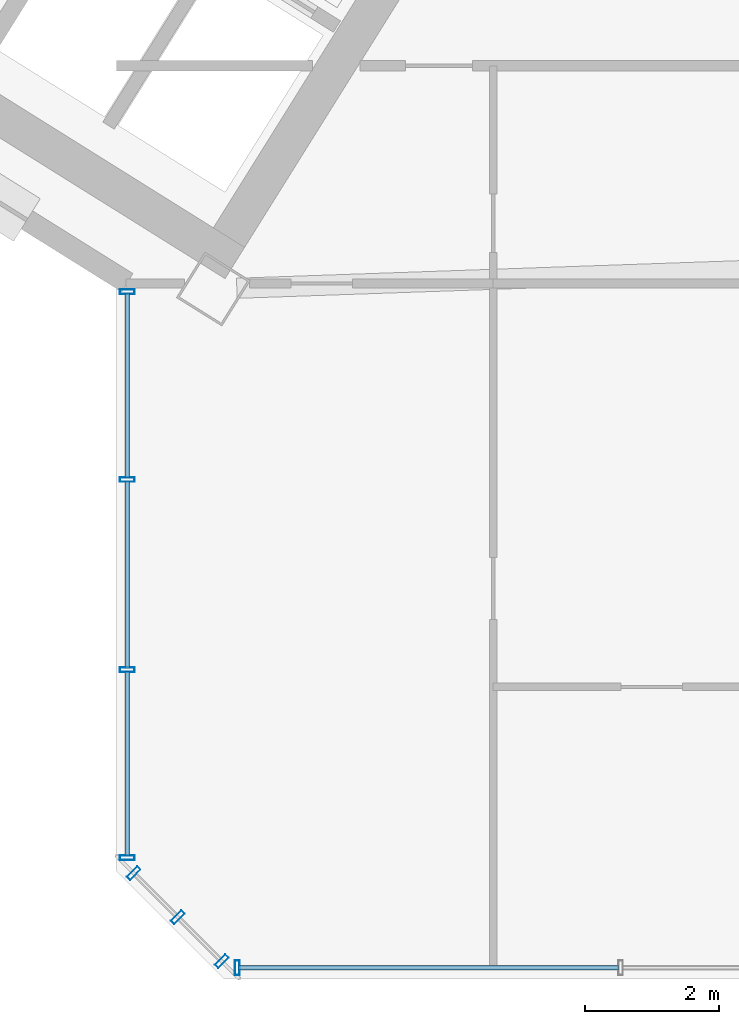
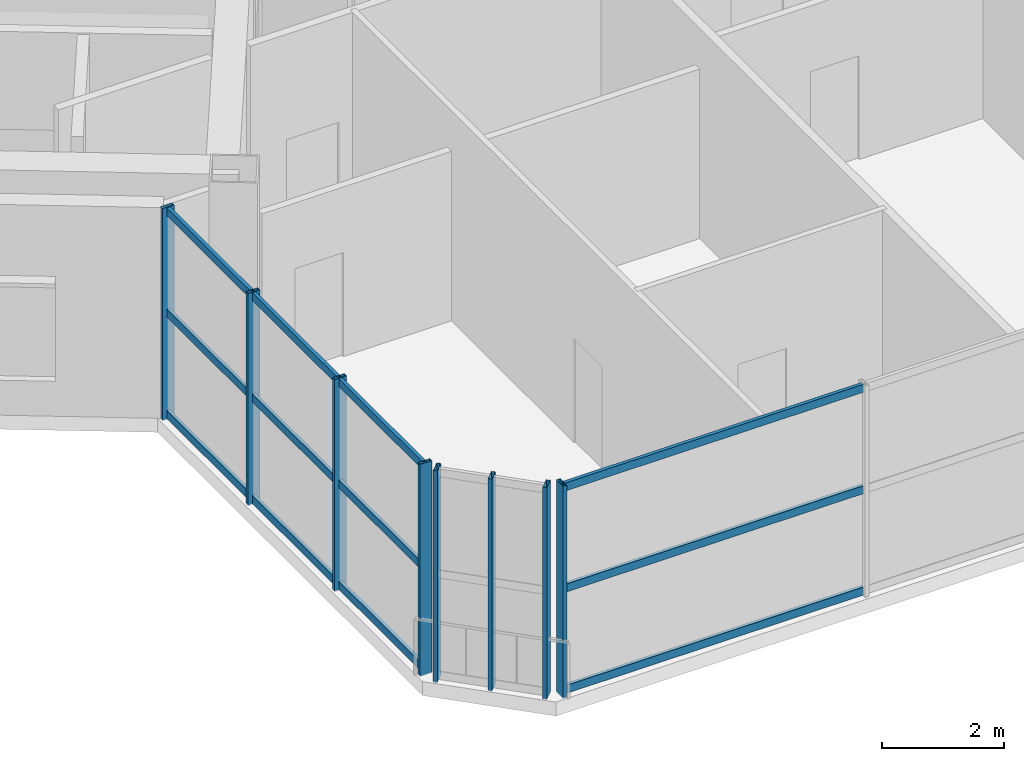
# One storey, part 4 of 20: 20 members, 3 elements without a shape of their own.
"""IFC4 building model written with IfcOpenShell, lengths in metres."""

from ifc_helpers import new_model, si_unit, direction, frame, origin, origin_2d, place, context, subcontext, project, spatial, hollow_rectangle, extrude, source, transform, mapped, material, material_profile, profile_set, type_object, element, aggregate, save


model = new_model("IFC4")

# Units and contexts
model_context = context("Model", 3, precision=1e-05, world=origin(), true_north=direction((0.0, 1.0)))
body_context = subcontext(model_context, "Body", "Model", "MODEL_VIEW")
ifc_project = project(units=[si_unit("LENGTHUNIT", "METRE"), si_unit("AREAUNIT", "SQUARE_METRE"), si_unit("VOLUMEUNIT", "CUBIC_METRE"), si_unit("PLANEANGLEUNIT", "RADIAN"), si_unit("MASSUNIT", "GRAM", prefix="KILO")], contexts=[model_context])

# Site, building, storey
site_placement = place(None, origin())
site = spatial("IfcSite", under=ifc_project, at=site_placement, CompositionType="ELEMENT")
building_placement = place(site_placement, origin())
building = spatial("IfcBuilding", under=site, at=building_placement, Name="Tlacorven Tower", CompositionType="ELEMENT")
storey_placement = place(building_placement, frame((0.0, 0.0, 195.0)))
storey = spatial("IfcBuildingStorey", under=building, at=storey_placement, Name="L49", CompositionType="ELEMENT", Elevation=195.0)

# Curtain wall, member
ifc_material_1 = material(Name="Dark solar low-E double glazing in aluminium frame", Category="aluminium")
curtain_wall_type = type_object("IfcCurtainWallType", Name="CW-COM-AMENITY", PredefinedType="USERDEFINED", material=ifc_material_1)
curtain_wall_1_placement = place(storey_placement, origin())
curtain_wall_1 = element("IfcCurtainWall", 1, at=curtain_wall_1_placement, inside=storey, type_object=curtain_wall_type, Name="L49 CW-COM-AMENITY Curtain Wall 225", ObjectType="UNITISED CURTAIN WALL", PredefinedType="USERDEFINED")
ifc_material_2 = material(Name="Aluminium 6063-T6 anodised", Category="aluminium")
ifc_material_profile_1 = material_profile(ifc_material_2, hollow_rectangle(XDim=0.070068359375, YDim=0.219970703125, WallThickness=0.0048828125, at=origin_2d()), Name="ALU MULLION 70X220")
ifc_profile_set_1 = profile_set([ifc_material_profile_1], Name="Aluminium 6063-T6 anodised")
member_type_1 = type_object("IfcMemberType", Name="CWM-01", PredefinedType="MULLION", material=ifc_profile_set_1)
shared_shape_1 = source(origin(), body_context, "Body", "SweptSolid", [
    extrude(hollow_rectangle(XDim=0.070068359375, YDim=0.219970703125, WallThickness=0.0048828125, at=origin_2d()), origin(), (0.0, 0.0, 1.0), 4.25),
])
member_1_placement = place(storey_placement, frame((33.4013671875, 1.9599609375, -0.02001953125), z_axis=(0.0, 0.0, 1.0), x_axis=(-1.0, 0.0, 0.0)))
member_1 = element("IfcMember", 2, at=member_1_placement, type_object=member_type_1, Name="CW-L49-225 Mullion 4", PredefinedType="MULLION", context=body_context, shape_type="MappedRepresentation", body=[
    mapped(shared_shape_1, transform((0.0, 0.0, 0.0), scale=1.0)),
])

# Curtain wall, members
curtain_wall_2_placement = place(storey_placement, origin())
curtain_wall_2 = element("IfcCurtainWall", 3, at=curtain_wall_2_placement, inside=storey, type_object=curtain_wall_type, Name="L49 CW-COM-AMENITY Curtain Wall 226", ObjectType="UNITISED CURTAIN WALL", PredefinedType="USERDEFINED")
member_2_placement = place(storey_placement, frame((33.1708984375, 2.055419921875, -0.02001953125), z_axis=(0.0, 0.0, 1.0), x_axis=(-0.707106781187, 0.707106781187, 0.0)))
member_2 = element("IfcMember", 4, at=member_2_placement, type_object=member_type_1, Name="CW-L49-226 Mullion 1", PredefinedType="MULLION", context=body_context, shape_type="MappedRepresentation", body=[
    mapped(shared_shape_1, transform((0.0, 0.0, 0.0), scale=1.0)),
])
member_3_placement = place(storey_placement, frame((32.51318359375, 2.713134765625, -0.02001953125), z_axis=(0.0, 0.0, 1.0), x_axis=(-0.707106781187, 0.707106781187, 0.0)))
member_3 = element("IfcMember", 5, at=member_3_placement, type_object=member_type_1, Name="CW-L49-226 Mullion 2", PredefinedType="MULLION", context=body_context, shape_type="MappedRepresentation", body=[
    mapped(shared_shape_1, transform((0.0, 0.0, 0.0), scale=1.0)),
])
member_4_placement = place(storey_placement, frame((31.85546875, 3.370849609375, -0.02001953125), z_axis=(0.0, 0.0, 1.0), x_axis=(-0.707106781187, 0.707106781187, 0.0)))
member_4 = element("IfcMember", 6, at=member_4_placement, type_object=member_type_1, Name="CW-L49-226 Mullion 3", PredefinedType="MULLION", context=body_context, shape_type="MappedRepresentation", body=[
    mapped(shared_shape_1, transform((0.0, 0.0, 0.0), scale=1.0)),
])
aggregate(curtain_wall_2, [member_2, member_3, member_4])

curtain_wall_3_placement = place(storey_placement, origin())
curtain_wall_3 = element("IfcCurtainWall", 7, at=curtain_wall_3_placement, inside=storey, type_object=curtain_wall_type, Name="L49 CW-COM-AMENITY Curtain Wall 227", ObjectType="UNITISED CURTAIN WALL", PredefinedType="USERDEFINED")
member_5_placement = place(storey_placement, frame((31.760009765625, 3.601318359375, -0.02001953125), z_axis=(0.0, 0.0, 1.0), x_axis=(0.0, 1.0, 0.0)))
member_5 = element("IfcMember", 8, at=member_5_placement, type_object=member_type_1, Name="CW-L49-227 Mullion 1", PredefinedType="MULLION", context=body_context, shape_type="MappedRepresentation", body=[
    mapped(shared_shape_1, transform((0.0, 0.0, 0.0), scale=1.0)),
])
member_6_placement = place(storey_placement, frame((31.760009765625, 6.4052734375, -0.02001953125), z_axis=(0.0, 0.0, 1.0), x_axis=(0.0, 1.0, 0.0)))
member_6 = element("IfcMember", 9, at=member_6_placement, type_object=member_type_1, Name="CW-L49-227 Mullion 2", PredefinedType="MULLION", context=body_context, shape_type="MappedRepresentation", body=[
    mapped(shared_shape_1, transform((0.0, 0.0, 0.0), scale=1.0)),
])
member_7_placement = place(storey_placement, frame((31.760009765625, 9.244140625, -0.02001953125), z_axis=(0.0, 0.0, 1.0), x_axis=(0.0, 1.0, 0.0)))
member_7 = element("IfcMember", 10, at=member_7_placement, type_object=member_type_1, Name="CW-L49-227 Mullion 3", PredefinedType="MULLION", context=body_context, shape_type="MappedRepresentation", body=[
    mapped(shared_shape_1, transform((0.0, 0.0, 0.0), scale=1.0)),
])
member_8_placement = place(storey_placement, frame((31.760009765625, 12.048095703125, -0.02001953125), z_axis=(0.0, 0.0, 1.0), x_axis=(0.0, 1.0, 0.0)))
member_8 = element("IfcMember", 11, at=member_8_placement, type_object=member_type_1, Name="CW-L49-227 Mullion 4", PredefinedType="MULLION", context=body_context, shape_type="MappedRepresentation", body=[
    mapped(shared_shape_1, transform((0.0, 0.0, 0.0), scale=1.0)),
])

# Member
ifc_material_profile_2 = material_profile(ifc_material_2, hollow_rectangle(XDim=0.06494140625, YDim=0.159912109375, WallThickness=0.00390625, at=origin_2d()), Name="ALU TRANSOM 65X160")
ifc_profile_set_2 = profile_set([ifc_material_profile_2], Name="Aluminium 6063-T6 anodised")
member_type_2 = type_object("IfcMemberType", Name="CWT-01", PredefinedType="USERDEFINED", material=ifc_profile_set_2)
shared_shape_2 = source(origin(), body_context, "Body", "SweptSolid", [
    extrude(hollow_rectangle(XDim=0.06494140625, YDim=0.159912109375, WallThickness=0.00390625, at=origin_2d()), origin(), (0.0, 0.0, 1.0), 5.6748046875),
])
member_9_placement = place(storey_placement, frame((39.09912109375, 1.9599609375, 0.080078125), z_axis=(-1.0, 0.0, 0.0), x_axis=(0.0, -1.0, 0.0)))
member_9 = element("IfcMember", 12, at=member_9_placement, type_object=member_type_2, Name="CW-L49-225 Transom 7", ObjectType="TRANSOM", PredefinedType="USERDEFINED", context=body_context, shape_type="MappedRepresentation", body=[
    mapped(shared_shape_2, transform((0.0, 0.0, 0.0), scale=1.0)),
])

member_10_placement = place(storey_placement, frame((39.09912109375, 1.9599609375, 2.110107421875), z_axis=(-1.0, 0.0, 0.0), x_axis=(0.0, -1.0, 0.0)))
member_10 = element("IfcMember", 13, at=member_10_placement, type_object=member_type_2, Name="CW-L49-225 Transom 8", ObjectType="TRANSOM", PredefinedType="USERDEFINED", context=body_context, shape_type="MappedRepresentation", body=[
    mapped(shared_shape_2, transform((0.0, 0.0, 0.0), scale=1.0)),
])

member_11_placement = place(storey_placement, frame((39.09912109375, 1.9599609375, 4.139892578125), z_axis=(-1.0, 0.0, 0.0), x_axis=(0.0, -1.0, 0.0)))
member_11 = element("IfcMember", 14, at=member_11_placement, type_object=member_type_2, Name="CW-L49-225 Transom 9", ObjectType="TRANSOM", PredefinedType="USERDEFINED", context=body_context, shape_type="MappedRepresentation", body=[
    mapped(shared_shape_2, transform((0.0, 0.0, 0.0), scale=1.0)),
])

aggregate(curtain_wall_1, [member_1, member_9, member_10, member_11])

shared_shape_3 = source(origin(), body_context, "Body", "SweptSolid", [
    extrude(hollow_rectangle(XDim=0.06494140625, YDim=0.159912109375, WallThickness=0.00390625, at=origin_2d()), origin(), (0.0, 0.0, 1.0), 2.7578125),
])
member_12_placement = place(storey_placement, frame((31.760009765625, 3.624267578125, 0.080078125), z_axis=(0.0, 1.0, 0.0), x_axis=(-1.0, 0.0, 0.0)))
member_12 = element("IfcMember", 15, at=member_12_placement, type_object=member_type_2, Name="CW-L49-227 Transom 1", ObjectType="TRANSOM", PredefinedType="USERDEFINED", context=body_context, shape_type="MappedRepresentation", body=[
    mapped(shared_shape_3, transform((0.0, 0.0, 0.0), scale=1.0)),
])

member_13_placement = place(storey_placement, frame((31.760009765625, 3.624267578125, 2.110107421875), z_axis=(0.0, 1.0, 0.0), x_axis=(-1.0, 0.0, 0.0)))
member_13 = element("IfcMember", 16, at=member_13_placement, type_object=member_type_2, Name="CW-L49-227 Transom 2", ObjectType="TRANSOM", PredefinedType="USERDEFINED", context=body_context, shape_type="MappedRepresentation", body=[
    mapped(shared_shape_3, transform((0.0, 0.0, 0.0), scale=1.0)),
])

member_14_placement = place(storey_placement, frame((31.760009765625, 3.624267578125, 4.139892578125), z_axis=(0.0, 1.0, 0.0), x_axis=(-1.0, 0.0, 0.0)))
member_14 = element("IfcMember", 17, at=member_14_placement, type_object=member_type_2, Name="CW-L49-227 Transom 3", ObjectType="TRANSOM", PredefinedType="USERDEFINED", context=body_context, shape_type="MappedRepresentation", body=[
    mapped(shared_shape_3, transform((0.0, 0.0, 0.0), scale=1.0)),
])

shared_shape_4 = source(origin(), body_context, "Body", "SweptSolid", [
    extrude(hollow_rectangle(XDim=0.06494140625, YDim=0.159912109375, WallThickness=0.00390625, at=origin_2d()), origin(), (0.0, 0.0, 1.0), 2.79296875),
])
member_15_placement = place(storey_placement, frame((31.760009765625, 6.42822265625, 0.080078125), z_axis=(0.0, 1.0, 0.0), x_axis=(-1.0, 0.0, 0.0)))
member_15 = element("IfcMember", 18, at=member_15_placement, type_object=member_type_2, Name="CW-L49-227 Transom 4", ObjectType="TRANSOM", PredefinedType="USERDEFINED", context=body_context, shape_type="MappedRepresentation", body=[
    mapped(shared_shape_4, transform((0.0, 0.0, 0.0), scale=1.0)),
])

member_16_placement = place(storey_placement, frame((31.760009765625, 6.42822265625, 2.110107421875), z_axis=(0.0, 1.0, 0.0), x_axis=(-1.0, 0.0, 0.0)))
member_16 = element("IfcMember", 19, at=member_16_placement, type_object=member_type_2, Name="CW-L49-227 Transom 5", ObjectType="TRANSOM", PredefinedType="USERDEFINED", context=body_context, shape_type="MappedRepresentation", body=[
    mapped(shared_shape_4, transform((0.0, 0.0, 0.0), scale=1.0)),
])

member_17_placement = place(storey_placement, frame((31.760009765625, 6.42822265625, 4.139892578125), z_axis=(0.0, 1.0, 0.0), x_axis=(-1.0, 0.0, 0.0)))
member_17 = element("IfcMember", 20, at=member_17_placement, type_object=member_type_2, Name="CW-L49-227 Transom 6", ObjectType="TRANSOM", PredefinedType="USERDEFINED", context=body_context, shape_type="MappedRepresentation", body=[
    mapped(shared_shape_4, transform((0.0, 0.0, 0.0), scale=1.0)),
])

shared_shape_5 = source(origin(), body_context, "Body", "SweptSolid", [
    extrude(hollow_rectangle(XDim=0.06494140625, YDim=0.159912109375, WallThickness=0.00390625, at=origin_2d()), origin(), (0.0, 0.0, 1.0), 2.758056640625),
])
member_18_placement = place(storey_placement, frame((31.760009765625, 9.26708984375, 0.080078125), z_axis=(0.0, 1.0, 0.0), x_axis=(-1.0, 0.0, 0.0)))
member_18 = element("IfcMember", 21, at=member_18_placement, type_object=member_type_2, Name="CW-L49-227 Transom 7", ObjectType="TRANSOM", PredefinedType="USERDEFINED", context=body_context, shape_type="MappedRepresentation", body=[
    mapped(shared_shape_5, transform((0.0, 0.0, 0.0), scale=1.0)),
])

member_19_placement = place(storey_placement, frame((31.760009765625, 9.26708984375, 2.110107421875), z_axis=(0.0, 1.0, 0.0), x_axis=(-1.0, 0.0, 0.0)))
member_19 = element("IfcMember", 22, at=member_19_placement, type_object=member_type_2, Name="CW-L49-227 Transom 8", ObjectType="TRANSOM", PredefinedType="USERDEFINED", context=body_context, shape_type="MappedRepresentation", body=[
    mapped(shared_shape_5, transform((0.0, 0.0, 0.0), scale=1.0)),
])

member_20_placement = place(storey_placement, frame((31.760009765625, 9.26708984375, 4.139892578125), z_axis=(0.0, 1.0, 0.0), x_axis=(-1.0, 0.0, 0.0)))
member_20 = element("IfcMember", 23, at=member_20_placement, type_object=member_type_2, Name="CW-L49-227 Transom 9", ObjectType="TRANSOM", PredefinedType="USERDEFINED", context=body_context, shape_type="MappedRepresentation", body=[
    mapped(shared_shape_5, transform((0.0, 0.0, 0.0), scale=1.0)),
])

aggregate(curtain_wall_3, [member_5, member_6, member_7, member_8, member_12, member_13, member_14, member_15, member_16, member_17, member_18, member_19, member_20])

save(model, "model.ifc")
